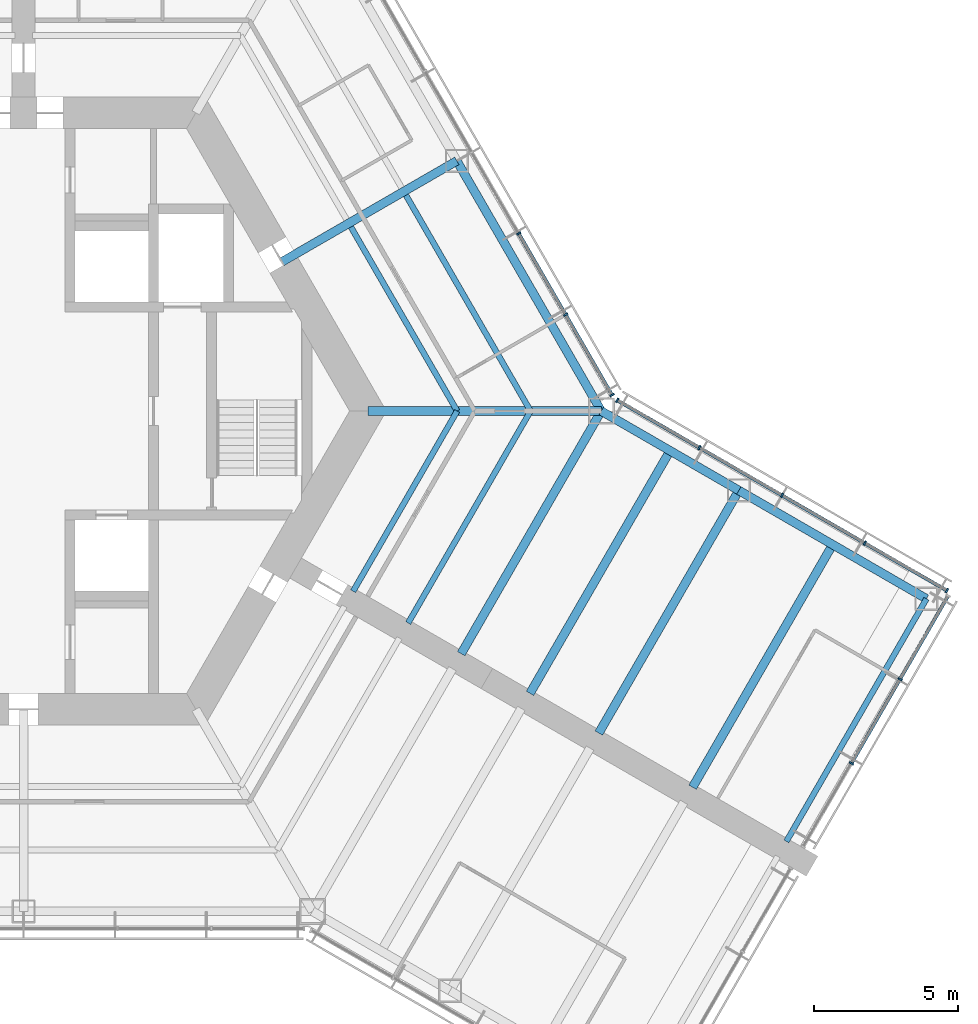
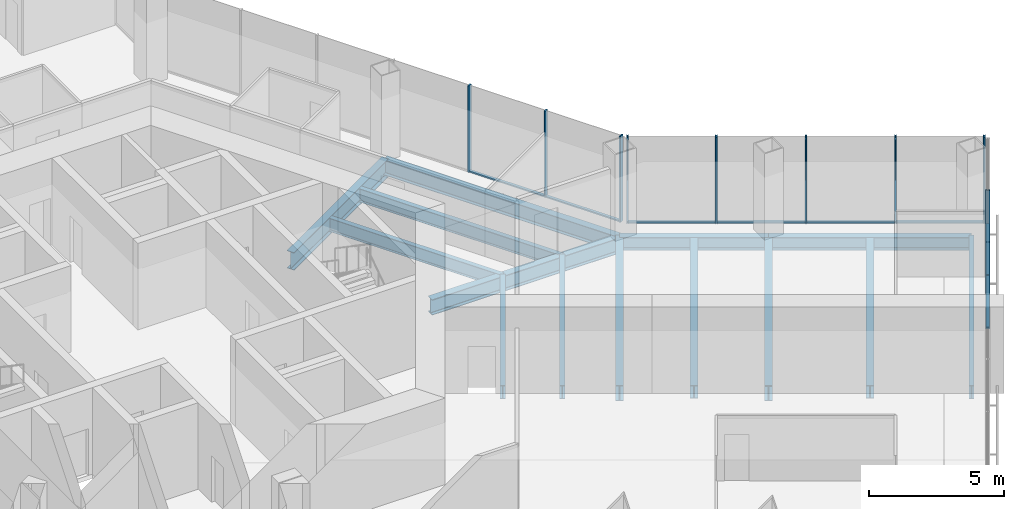
# One storey, part 6 of 18: 18 members, 14 beams, 3 elements without a shape of their own.
"""IFC4 building model written with IfcOpenShell, lengths in metres."""

from ifc_helpers import new_model, si_unit, direction, frame, origin, origin_2d, place, context, subcontext, project, spatial, rectangle, i_section, extrude, material, material_profile, profile_set, type_object, element, aggregate, save


model = new_model("IFC4")

# Units and contexts
model_context = context("Model", 3, precision=1e-05, world=origin(), true_north=direction((0.0, 1.0)))
body_context = subcontext(model_context, "Body", "Model", "MODEL_VIEW")
ifc_project = project(units=[si_unit("LENGTHUNIT", "METRE"), si_unit("AREAUNIT", "SQUARE_METRE"), si_unit("VOLUMEUNIT", "CUBIC_METRE"), si_unit("PLANEANGLEUNIT", "RADIAN"), si_unit("MASSUNIT", "GRAM", prefix="KILO")], contexts=[model_context])

# Site, building, storey
site_placement = place(None, origin())
site = spatial("IfcSite", under=ifc_project, at=site_placement, CompositionType="ELEMENT")
building_placement = place(site_placement, origin())
building = spatial("IfcBuilding", under=site, at=building_placement, Name="Kasaneha Research Tower", CompositionType="ELEMENT")
storey_placement = place(building_placement, frame((0.0, 0.0, 72.89990234375)))
storey = spatial("IfcBuildingStorey", under=building, at=storey_placement, Name="L18", CompositionType="ELEMENT", Elevation=72.89990234375)

# Beams
ifc_material_1 = material(Name="Steel SN490B", Category="steel")
ifc_material_profile_1 = material_profile(ifc_material_1, i_section(OverallWidth=0.199951171875, OverallDepth=0.60009765625, WebThickness=0.010986328125, FlangeThickness=0.01708984375, FilletRadius=0.012939453125, at=origin_2d()), Name="H-600x200x11x17")
ifc_profile_set_1 = profile_set([ifc_material_profile_1], Name="Steel SN490B")
beam_type_1 = type_object("IfcBeamType", Name="B1-3 secondary beam H-600x200x11x17", PredefinedType="JOIST", material=ifc_profile_set_1)
beam_1_placement = place(storey_placement, frame((15.010986328125, 0.0, -0.449951171875), z_axis=(-0.499994443168, 0.866028611999, 0.0), x_axis=(-0.866028611999, -0.499994443168, 0.0)))
element("IfcBeam", 1, at=beam_1_placement, inside=storey, type_object=beam_type_1, Name="Secondary beam RS030L1 L18", PredefinedType="JOIST", context=body_context, shape_type="SweptSolid", body=[
    extrude(i_section(OverallWidth=0.199951171875, OverallDepth=0.60009765625, WebThickness=0.010986328125, FlangeThickness=0.01708984375, FilletRadius=0.012939453125, at=origin_2d()), origin(), (0.0, 0.0, 1.0), 7.35546875),
])
beam_2_placement = place(storey_placement, frame((17.551513671875, 0.0, -0.449951171875), z_axis=(-0.5000050195, 0.866022505755, 0.0), x_axis=(-0.866022505755, -0.5000050195, 0.0)))
element("IfcBeam", 2, at=beam_2_placement, inside=storey, type_object=beam_type_1, Name="Secondary beam RS030L2 L18", PredefinedType="JOIST", context=body_context, shape_type="SweptSolid", body=[
    extrude(i_section(OverallWidth=0.199951171875, OverallDepth=0.60009765625, WebThickness=0.010986328125, FlangeThickness=0.01708984375, FilletRadius=0.012939453125, at=origin_2d()), origin(), (0.0, 0.0, 1.0), 8.6259765625),
])
beam_3_placement = place(storey_placement, frame((15.010986328125, 0.0, -0.449951171875), z_axis=(-0.499972735707, -0.866041144259, 0.0), x_axis=(0.866041144259, -0.499972735707, 0.0)))
element("IfcBeam", 3, at=beam_3_placement, inside=storey, type_object=beam_type_1, Name="Secondary beam RS330R1 L18", PredefinedType="JOIST", context=body_context, shape_type="SweptSolid", body=[
    extrude(i_section(OverallWidth=0.199951171875, OverallDepth=0.60009765625, WebThickness=0.010986328125, FlangeThickness=0.01708984375, FilletRadius=0.012939453125, at=origin_2d()), origin(), (0.0, 0.0, 1.0), 7.20556640625),
])
beam_4_placement = place(storey_placement, frame((17.551513671875, 0.0, -0.449951171875), z_axis=(-0.500020829043, -0.866013377797, 0.0), x_axis=(0.866013377797, -0.500020829043, 0.0)))
element("IfcBeam", 4, at=beam_4_placement, inside=storey, type_object=beam_type_1, Name="Secondary beam RS330R2 L18", PredefinedType="JOIST", context=body_context, shape_type="SweptSolid", body=[
    extrude(i_section(OverallWidth=0.199951171875, OverallDepth=0.60009765625, WebThickness=0.010986328125, FlangeThickness=0.01708984375, FilletRadius=0.012939453125, at=origin_2d()), origin(), (0.0, 0.0, 1.0), 8.475830078125),
])
ifc_material_2 = material(Name="Steel SN490B", Category="steel")
ifc_material_profile_2 = material_profile(ifc_material_2, i_section(OverallWidth=0.300048828125, OverallDepth=0.58203125, WebThickness=0.011962890625, FlangeThickness=0.01708984375, FilletRadius=0.012939453125, at=origin_2d()), Name="H-582x300x12x17")
ifc_profile_set_2 = profile_set([ifc_material_profile_2], Name="Steel SN490B")
beam_type_2 = type_object("IfcBeamType", Name="B2-3 secondary beam H-582x300x12x17", PredefinedType="JOIST", material=ifc_profile_set_2)
for number, where, z_axis, x_axis, name in (
    (5, (22.381591796875, -1.375, -0.44091796875), (-0.500010041276, -0.866019606374, 0.0), (0.866019606374, -0.500010041276, 0.0), "Secondary beam WBCN1 L18"),
    (6, (28.0107421875, -4.625, -0.44091796875), (-0.500010041276, -0.866019606374, 0.0), (0.866019606374, -0.500010041276, 0.0), "Secondary beam WBCN2 L18"),
):
    element("IfcBeam", number, at=place(storey_placement, frame(where, z_axis=z_axis, x_axis=x_axis)), inside=storey, type_object=beam_type_2, Name=name, PredefinedType="JOIST", context=body_context, shape_type="SweptSolid", body=[
        extrude(i_section(OverallWidth=0.300048828125, OverallDepth=0.58203125, WebThickness=0.011962890625, FlangeThickness=0.01708984375, FilletRadius=0.012939453125, at=origin_2d()), origin(), (0.0, 0.0, 1.0), 9.699951171875),
    ])

# Curtain wall, members
ifc_material_3 = material(Name="Glass and aluminium", Category="aluminium")
curtain_wall_type = type_object("IfcCurtainWallType", Name="Low-rise office curtain wall", PredefinedType="USERDEFINED", material=ifc_material_3)
curtain_wall_1_placement = place(storey_placement, origin())
curtain_wall_1 = element("IfcCurtainWall", 7, at=curtain_wall_1_placement, inside=storey, type_object=curtain_wall_type, Name="CW-O1 L18 run 05a", ObjectType="UNITISED CURTAIN WALL", PredefinedType="USERDEFINED")
ifc_material_4 = material(Name="Aluminium 6063-T6", Category="aluminium")
ifc_material_profile_3 = material_profile(ifc_material_4, rectangle(XDim=0.06005859375, YDim=0.159912109375, at=origin_2d()), Name="CW-O1 mullion 60x160")
ifc_profile_set_3 = profile_set([ifc_material_profile_3], Name="Aluminium 6063-T6")
member_type_1 = type_object("IfcMemberType", Name="CW-O1 mullion", PredefinedType="MULLION", material=ifc_profile_set_3)
member_1_placement = place(storey_placement, frame((28.661376953125, -12.1982421875, 0.0), z_axis=(0.0, 0.0, 1.0), x_axis=(0.500000011442, 0.866025397178, 0.0)))
member_1 = element("IfcMember", 8, at=member_1_placement, type_object=member_type_1, Name="CW-O1 mullion 2", PredefinedType="MULLION", context=body_context, shape_type="SweptSolid", body=[
    extrude(rectangle(XDim=0.06005859375, YDim=0.159912109375, at=origin_2d()), origin(), (0.0, 0.0, 1.0), 3.900146484375),
])
member_2_placement = place(storey_placement, frame((30.3447265625, -9.28271484375, 0.0), z_axis=(0.0, 0.0, 1.0), x_axis=(0.500000011442, 0.866025397178, 0.0)))
member_2 = element("IfcMember", 9, at=member_2_placement, type_object=member_type_1, Name="CW-O1 mullion 3", PredefinedType="MULLION", context=body_context, shape_type="SweptSolid", body=[
    extrude(rectangle(XDim=0.06005859375, YDim=0.159912109375, at=origin_2d()), origin(), (0.0, 0.0, 1.0), 3.900146484375),
])

curtain_wall_2_placement = place(storey_placement, origin())
curtain_wall_2 = element("IfcCurtainWall", 10, at=curtain_wall_2_placement, inside=storey, type_object=curtain_wall_type, Name="CW-O1 L18 run 06a", ObjectType="UNITISED CURTAIN WALL", PredefinedType="USERDEFINED")
member_3_placement = place(storey_placement, frame((31.96533203125, -6.21533203125, 0.0), z_axis=(0.0, 0.0, 1.0), x_axis=(-0.866025411464, 0.499999986699, 0.0)))
member_3 = element("IfcMember", 11, at=member_3_placement, type_object=member_type_1, Name="CW-O1 mullion 1", PredefinedType="MULLION", context=body_context, shape_type="SweptSolid", body=[
    extrude(rectangle(XDim=0.06005859375, YDim=0.159912109375, at=origin_2d()), origin(), (0.0, 0.0, 1.0), 3.900146484375),
])
member_4_placement = place(storey_placement, frame((29.125, -4.575439453125, 0.0), z_axis=(0.0, 0.0, 1.0), x_axis=(-0.866025411464, 0.499999986699, 0.0)))
member_4 = element("IfcMember", 12, at=member_4_placement, type_object=member_type_1, Name="CW-O1 mullion 2", PredefinedType="MULLION", context=body_context, shape_type="SweptSolid", body=[
    extrude(rectangle(XDim=0.06005859375, YDim=0.159912109375, at=origin_2d()), origin(), (0.0, 0.0, 1.0), 3.900146484375),
])
member_5_placement = place(storey_placement, frame((26.258544921875, -2.920654296875, 0.0), z_axis=(0.0, 0.0, 1.0), x_axis=(-0.866025411464, 0.499999986699, 0.0)))
member_5 = element("IfcMember", 13, at=member_5_placement, type_object=member_type_1, Name="CW-O1 mullion 3", PredefinedType="MULLION", context=body_context, shape_type="SweptSolid", body=[
    extrude(rectangle(XDim=0.06005859375, YDim=0.159912109375, at=origin_2d()), origin(), (0.0, 0.0, 1.0), 3.900146484375),
])
member_6_placement = place(storey_placement, frame((23.39208984375, -1.265625, 0.0), z_axis=(0.0, 0.0, 1.0), x_axis=(-0.866025411464, 0.499999986699, 0.0)))
member_6 = element("IfcMember", 14, at=member_6_placement, type_object=member_type_1, Name="CW-O1 mullion 4", PredefinedType="MULLION", context=body_context, shape_type="SweptSolid", body=[
    extrude(rectangle(XDim=0.06005859375, YDim=0.159912109375, at=origin_2d()), origin(), (0.0, 0.0, 1.0), 3.900146484375),
])
member_7_placement = place(storey_placement, frame((20.5517578125, 0.374267578125, 0.0), z_axis=(0.0, 0.0, 1.0), x_axis=(-0.866025411464, 0.499999986699, 0.0)))
member_7 = element("IfcMember", 15, at=member_7_placement, type_object=member_type_1, Name="CW-O1 mullion 5", PredefinedType="MULLION", context=body_context, shape_type="SweptSolid", body=[
    extrude(rectangle(XDim=0.06005859375, YDim=0.159912109375, at=origin_2d()), origin(), (0.0, 0.0, 1.0), 3.900146484375),
])

curtain_wall_3_placement = place(storey_placement, origin())
curtain_wall_3 = element("IfcCurtainWall", 16, at=curtain_wall_3_placement, inside=storey, type_object=curtain_wall_type, Name="CW-O1 L18 run 07a", ObjectType="UNITISED CURTAIN WALL", PredefinedType="USERDEFINED")
member_8_placement = place(storey_placement, frame((20.374267578125, 0.5517578125, 0.0), z_axis=(0.0, 0.0, 1.0), x_axis=(-0.49999996188, 0.866025425793, 0.0)))
member_8 = element("IfcMember", 17, at=member_8_placement, type_object=member_type_1, Name="CW-O1 mullion 1", PredefinedType="MULLION", context=body_context, shape_type="SweptSolid", body=[
    extrude(rectangle(XDim=0.06005859375, YDim=0.159912109375, at=origin_2d()), origin(), (0.0, 0.0, 1.0), 3.900146484375),
])
member_9_placement = place(storey_placement, frame((18.76611328125, 3.33740234375, 0.0), z_axis=(0.0, 0.0, 1.0), x_axis=(-0.49999996188, 0.866025425793, 0.0)))
member_9 = element("IfcMember", 18, at=member_9_placement, type_object=member_type_1, Name="CW-O1 mullion 2", PredefinedType="MULLION", context=body_context, shape_type="SweptSolid", body=[
    extrude(rectangle(XDim=0.06005859375, YDim=0.159912109375, at=origin_2d()), origin(), (0.0, 0.0, 1.0), 3.900146484375),
])
member_10_placement = place(storey_placement, frame((17.142822265625, 6.148681640625, 0.0), z_axis=(0.0, 0.0, 1.0), x_axis=(-0.49999996188, 0.866025425793, 0.0)))
member_10 = element("IfcMember", 19, at=member_10_placement, type_object=member_type_1, Name="CW-O1 mullion 3", PredefinedType="MULLION", context=body_context, shape_type="SweptSolid", body=[
    extrude(rectangle(XDim=0.06005859375, YDim=0.159912109375, at=origin_2d()), origin(), (0.0, 0.0, 1.0), 3.900146484375),
])

# Member
ifc_material_5 = material(Name="Aluminium 6063-T6", Category="aluminium")
ifc_material_profile_4 = material_profile(ifc_material_5, rectangle(XDim=0.1201171875, YDim=0.06005859375, at=origin_2d()), Name="CW-O1 transom 120x60")
ifc_profile_set_4 = profile_set([ifc_material_profile_4], Name="Aluminium 6063-T6")
member_type_2 = type_object("IfcMemberType", Name="CW-O1 transom", PredefinedType="USERDEFINED", material=ifc_profile_set_4)
member_11_placement = place(storey_placement, frame((28.67626953125, -12.17236328125, 0.030029296875), z_axis=(0.499982354831, 0.866035590988, 0.0), x_axis=(-0.866035590988, 0.499982354831, 0.0)))
member_11 = element("IfcMember", 20, at=member_11_placement, type_object=member_type_2, Name="CW-O1 transom 2", ObjectType="TRANSOM", PredefinedType="USERDEFINED", context=body_context, shape_type="SweptSolid", body=[
    extrude(rectangle(XDim=0.1201171875, YDim=0.06005859375, at=origin_2d()), origin(), (0.0, 0.0, 1.0), 3.306640625),
])

member_12_placement = place(storey_placement, frame((30.359619140625, -9.256591796875, 0.030029296875), z_axis=(0.500025583411, 0.866010632691, 0.0), x_axis=(-0.866010632691, 0.500025583411, 0.0)))
member_12 = element("IfcMember", 21, at=member_12_placement, type_object=member_type_2, Name="CW-O1 transom 3", ObjectType="TRANSOM", PredefinedType="USERDEFINED", context=body_context, shape_type="SweptSolid", body=[
    extrude(rectangle(XDim=0.1201171875, YDim=0.06005859375, at=origin_2d()), origin(), (0.0, 0.0, 1.0), 3.276611328125),
])

aggregate(curtain_wall_1, [member_1, member_2, member_11, member_12])

member_13_placement = place(storey_placement, frame((31.939453125, -6.200439453125, 0.030029296875), z_axis=(-0.866041647767, 0.499971863542, 0.0), x_axis=(-0.499971863542, -0.866041647767, 0.0)))
member_13 = element("IfcMember", 22, at=member_13_placement, type_object=member_type_2, Name="CW-O1 transom 1", ObjectType="TRANSOM", PredefinedType="USERDEFINED", context=body_context, shape_type="SweptSolid", body=[
    extrude(rectangle(XDim=0.1201171875, YDim=0.06005859375, at=origin_2d()), origin(), (0.0, 0.0, 1.0), 3.219970703125),
])

member_14_placement = place(storey_placement, frame((29.098876953125, -4.560546875, 0.030029296875), z_axis=(-0.86599666273, 0.500049777664, 0.0), x_axis=(-0.500049777664, -0.86599666273, 0.0)))
member_14 = element("IfcMember", 23, at=member_14_placement, type_object=member_type_2, Name="CW-O1 transom 2", ObjectType="TRANSOM", PredefinedType="USERDEFINED", context=body_context, shape_type="SweptSolid", body=[
    extrude(rectangle(XDim=0.1201171875, YDim=0.06005859375, at=origin_2d()), origin(), (0.0, 0.0, 1.0), 3.249755859375),
])

member_15_placement = place(storey_placement, frame((26.232666015625, -2.905517578125, 0.030029296875), z_axis=(-0.86604797581, 0.499960902066, 0.0), x_axis=(-0.499960902066, -0.86604797581, 0.0)))
member_15 = element("IfcMember", 24, at=member_15_placement, type_object=member_type_2, Name="CW-O1 transom 3", ObjectType="TRANSOM", PredefinedType="USERDEFINED", context=body_context, shape_type="SweptSolid", body=[
    extrude(rectangle(XDim=0.1201171875, YDim=0.06005859375, at=origin_2d()), origin(), (0.0, 0.0, 1.0), 3.249755859375),
])

member_16_placement = place(storey_placement, frame((23.3662109375, -1.250732421875, 0.030029296875), z_axis=(-0.866022692473, 0.500004696101, 0.0), x_axis=(-0.500004696101, -0.866022692473, 0.0)))
member_16 = element("IfcMember", 25, at=member_16_placement, type_object=member_type_2, Name="CW-O1 transom 4", ObjectType="TRANSOM", PredefinedType="USERDEFINED", context=body_context, shape_type="SweptSolid", body=[
    extrude(rectangle(XDim=0.1201171875, YDim=0.06005859375, at=origin_2d()), origin(), (0.0, 0.0, 1.0), 3.2197265625),
])

aggregate(curtain_wall_2, [member_3, member_4, member_5, member_6, member_7, member_13, member_14, member_15, member_16])

member_17_placement = place(storey_placement, frame((20.359130859375, 0.577880859375, 0.030029296875), z_axis=(-0.499999210213, 0.866025859768, 0.0), x_axis=(-0.866025859768, -0.499999210213, 0.0)))
member_17 = element("IfcMember", 26, at=member_17_placement, type_object=member_type_2, Name="CW-O1 transom 1", ObjectType="TRANSOM", PredefinedType="USERDEFINED", context=body_context, shape_type="SweptSolid", body=[
    extrude(rectangle(XDim=0.1201171875, YDim=0.06005859375, at=origin_2d()), origin(), (0.0, 0.0, 1.0), 3.15625),
])

member_18_placement = place(storey_placement, frame((18.7509765625, 3.36328125, 0.030029296875), z_axis=(-0.500012062035, 0.866018439653, 0.0), x_axis=(-0.866018439653, -0.500012062035, 0.0)))
member_18 = element("IfcMember", 27, at=member_18_placement, type_object=member_type_2, Name="CW-O1 transom 2", ObjectType="TRANSOM", PredefinedType="USERDEFINED", context=body_context, shape_type="SweptSolid", body=[
    extrude(rectangle(XDim=0.1201171875, YDim=0.06005859375, at=origin_2d()), origin(), (0.0, 0.0, 1.0), 3.1865234375),
])

aggregate(curtain_wall_3, [member_8, member_9, member_10, member_17, member_18])

# Beams
ifc_material_6 = material(Name="Steel SN490B", Category="steel")
ifc_material_profile_5 = material_profile(ifc_material_6, i_section(OverallWidth=0.300048828125, OverallDepth=0.699951171875, WebThickness=0.012939453125, FlangeThickness=0.02392578125, FilletRadius=0.01806640625, at=origin_2d()), Name="H-700x300x13x24")
ifc_profile_set_5 = profile_set([ifc_material_profile_5], Name="Steel SN490B")
beam_type_3 = type_object("IfcBeamType", Name="G1-3 radial girder H-700x300x13x24", PredefinedType="BEAM", material=ifc_profile_set_5)
beam_5_placement = place(storey_placement, frame((11.92236328125, 0.0, -0.5), z_axis=(1.0, 0.0, 0.0), x_axis=(0.0, 1.0, 0.0)))
element("IfcBeam", 28, at=beam_5_placement, inside=storey, type_object=beam_type_3, Name="Radial girder RV000 L18", PredefinedType="BEAM", context=body_context, shape_type="SweptSolid", body=[
    extrude(i_section(OverallWidth=0.300048828125, OverallDepth=0.699951171875, WebThickness=0.012939453125, FlangeThickness=0.02392578125, FilletRadius=0.01806640625, at=origin_2d()), origin(), (0.0, 0.0, 1.0), 8.07763671875),
])
ifc_material_7 = material(Name="Steel SN490B", Category="steel")
ifc_material_profile_6 = material_profile(ifc_material_7, i_section(OverallWidth=0.300048828125, OverallDepth=0.800048828125, WebThickness=0.013916015625, FlangeThickness=0.02587890625, FilletRadius=0.01806640625, at=origin_2d()), Name="H-800x300x14x26")
ifc_profile_set_6 = profile_set([ifc_material_profile_6], Name="Steel SN490B")
beam_type_4 = type_object("IfcBeamType", Name="G2-3 radial girder H-800x300x14x26", PredefinedType="BEAM", material=ifc_profile_set_6)
beam_6_placement = place(storey_placement, frame((8.941650390625, 5.16259765625, -0.5498046875), z_axis=(0.866039713508, 0.499975214012, 0.0), x_axis=(-0.499975214012, 0.866039713508, 0.0)))
element("IfcBeam", 29, at=beam_6_placement, inside=storey, type_object=beam_type_4, Name="Radial girder RM030 L18", PredefinedType="BEAM", context=body_context, shape_type="SweptSolid", body=[
    extrude(i_section(OverallWidth=0.300048828125, OverallDepth=0.800048828125, WebThickness=0.013916015625, FlangeThickness=0.02587890625, FilletRadius=0.01806640625, at=origin_2d()), origin(), (0.0, 0.0, 1.0), 6.995361328125),
])
ifc_material_8 = material(Name="Steel SN490B", Category="steel")
ifc_material_profile_7 = material_profile(ifc_material_8, i_section(OverallWidth=0.300048828125, OverallDepth=0.69189453125, WebThickness=0.012939453125, FlangeThickness=0.02001953125, FilletRadius=0.01806640625, at=origin_2d()), Name="H-692x300x13x20")
ifc_profile_set_7 = profile_set([ifc_material_profile_7], Name="Steel SN490B")
beam_type_5 = type_object("IfcBeamType", Name="G3-3 plate edge girder H-692x300x13x20", PredefinedType="BEAM", material=ifc_profile_set_7)
beam_7_placement = place(storey_placement, frame((20.0, 0.0, -0.495849609375), z_axis=(-0.500010041276, -0.866019606374, 0.0), x_axis=(0.866019606374, -0.500010041276, 0.0)))
element("IfcBeam", 30, at=beam_7_placement, inside=storey, type_object=beam_type_5, Name="Plate edge girder PECN L18", PredefinedType="BEAM", context=body_context, shape_type="SweptSolid", body=[
    extrude(i_section(OverallWidth=0.300048828125, OverallDepth=0.69189453125, WebThickness=0.012939453125, FlangeThickness=0.02001953125, FilletRadius=0.01806640625, at=origin_2d()), origin(), (0.0, 0.0, 1.0), 9.699951171875),
])
ifc_material_9 = material(Name="Steel SN490B", Category="steel")
ifc_material_profile_8 = material_profile(ifc_material_9, i_section(OverallWidth=0.300048828125, OverallDepth=0.699951171875, WebThickness=0.012939453125, FlangeThickness=0.02392578125, FilletRadius=0.01806640625, at=origin_2d()), Name="H-700x300x13x24")
ifc_profile_set_8 = profile_set([ifc_material_profile_8], Name="Steel SN490B")
beam_type_6 = type_object("IfcBeamType", Name="G4-3 wing girder H-700x300x13x24", PredefinedType="BEAM", material=ifc_profile_set_8)
beam_8_placement = place(storey_placement, frame((24.76318359375, -2.75, -0.5), z_axis=(-0.500010041276, -0.866019606374, 0.0), x_axis=(0.866019606374, -0.500010041276, 0.0)))
element("IfcBeam", 31, at=beam_8_placement, inside=storey, type_object=beam_type_6, Name="Wing girder WGCN L18", PredefinedType="BEAM", context=body_context, shape_type="SweptSolid", body=[
    extrude(i_section(OverallWidth=0.300048828125, OverallDepth=0.699951171875, WebThickness=0.012939453125, FlangeThickness=0.02392578125, FilletRadius=0.01806640625, at=origin_2d()), origin(), (0.0, 0.0, 1.0), 9.699951171875),
])
ifc_material_10 = material(Name="Steel SN490B", Category="steel")
ifc_material_profile_9 = material_profile(ifc_material_10, i_section(OverallWidth=0.300048828125, OverallDepth=0.69189453125, WebThickness=0.012939453125, FlangeThickness=0.02001953125, FilletRadius=0.01806640625, at=origin_2d()), Name="H-692x300x13x20")
ifc_profile_set_9 = profile_set([ifc_material_profile_9], Name="Steel SN490B")
beam_type_7 = type_object("IfcBeamType", Name="SB1-3 spandrel beam H-692x300x13x20", PredefinedType="SPANDREL", material=ifc_profile_set_9)
beam_9_placement = place(storey_placement, frame((20.0, 0.0, -0.495849609375), z_axis=(-0.500004234368, 0.866022959057, 0.0), x_axis=(-0.866022959057, -0.500004234368, 0.0)))
element("IfcBeam", 32, at=beam_9_placement, inside=storey, type_object=beam_type_7, Name="Spandrel beam SR030L L18", PredefinedType="SPANDREL", context=body_context, shape_type="SweptSolid", body=[
    extrude(i_section(OverallWidth=0.300048828125, OverallDepth=0.69189453125, WebThickness=0.012939453125, FlangeThickness=0.02001953125, FilletRadius=0.01806640625, at=origin_2d()), origin(), (0.0, 0.0, 1.0), 10.0),
])
ifc_material_11 = material(Name="Steel SN490B", Category="steel")
ifc_material_profile_10 = material_profile(ifc_material_11, i_section(OverallWidth=0.300048828125, OverallDepth=0.58203125, WebThickness=0.011962890625, FlangeThickness=0.01708984375, FilletRadius=0.012939453125, at=origin_2d()), Name="H-582x300x12x17")
ifc_profile_set_10 = profile_set([ifc_material_profile_10], Name="Steel SN490B")
beam_type_8 = type_object("IfcBeamType", Name="SB2-3 spandrel beam H-582x300x12x17", PredefinedType="SPANDREL", material=ifc_profile_set_10)
beam_10_placement = place(storey_placement, frame((20.0, 0.0, -0.44091796875), z_axis=(0.866027397988, -0.499996545922, 0.0), x_axis=(0.499996545922, 0.866027397988, 0.0)))
element("IfcBeam", 33, at=beam_10_placement, inside=storey, type_object=beam_type_8, Name="Spandrel beam WSCN1 L18", PredefinedType="SPANDREL", context=body_context, shape_type="SweptSolid", body=[
    extrude(i_section(OverallWidth=0.300048828125, OverallDepth=0.58203125, WebThickness=0.011962890625, FlangeThickness=0.01708984375, FilletRadius=0.012939453125, at=origin_2d()), origin(), (0.0, 0.0, 1.0), 5.5),
])
beam_11_placement = place(storey_placement, frame((24.76318359375, -2.75, -0.44091796875), z_axis=(0.866022959057, -0.500004234368, 0.0), x_axis=(0.500004234368, 0.866022959057, 0.0)))
element("IfcBeam", 34, at=beam_11_placement, inside=storey, type_object=beam_type_8, Name="Spandrel beam WSCN2 L18", PredefinedType="SPANDREL", context=body_context, shape_type="SweptSolid", body=[
    extrude(i_section(OverallWidth=0.300048828125, OverallDepth=0.58203125, WebThickness=0.011962890625, FlangeThickness=0.01708984375, FilletRadius=0.012939453125, at=origin_2d()), origin(), (0.0, 0.0, 1.0), 7.5),
])
ifc_material_12 = material(Name="Steel SN490B", Category="steel")
ifc_material_profile_11 = material_profile(ifc_material_12, i_section(OverallWidth=0.199951171875, OverallDepth=0.60009765625, WebThickness=0.010986328125, FlangeThickness=0.01708984375, FilletRadius=0.012939453125, at=origin_2d()), Name="H-600x200x11x17")
ifc_profile_set_11 = profile_set([ifc_material_profile_11], Name="Steel SN490B")
beam_type_9 = type_object("IfcBeamType", Name="SB3-3 spandrel beam H-600x200x11x17", PredefinedType="SPANDREL", material=ifc_profile_set_11)
beam_12_placement = place(storey_placement, frame((31.25830078125, -6.5, -0.449951171875), z_axis=(-0.499991164321, -0.866030505006, 0.0), x_axis=(0.866030505006, -0.499991164321, 0.0)))
element("IfcBeam", 35, at=beam_12_placement, inside=storey, type_object=beam_type_9, Name="Spandrel beam WTCN L18", PredefinedType="SPANDREL", context=body_context, shape_type="SweptSolid", body=[
    extrude(i_section(OverallWidth=0.199951171875, OverallDepth=0.60009765625, WebThickness=0.010986328125, FlangeThickness=0.01708984375, FilletRadius=0.012939453125, at=origin_2d()), origin(), (0.0, 0.0, 1.0), 9.699951171875),
])

save(model, "model.ifc")
